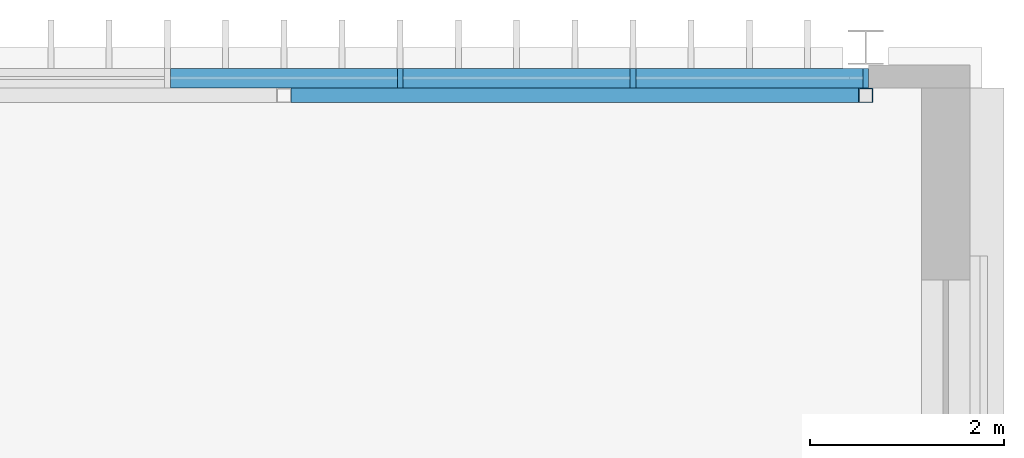
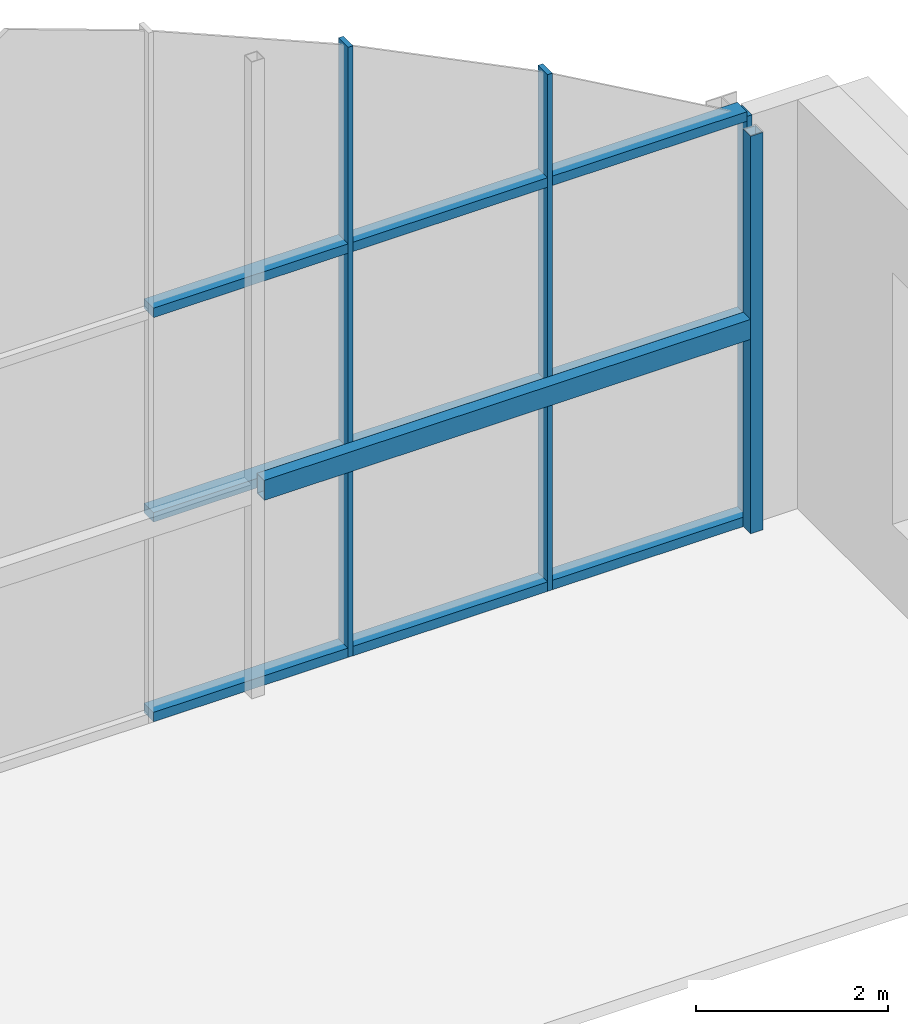
# One storey, part 38 of 93: 13 members, 1 beam, 1 element without a shape of its own.
"""IFC4 building model written with IfcOpenShell, lengths in metres."""

from ifc_helpers import new_model, si_unit, direction, frame, origin, origin_2d, place, context, subcontext, project, spatial, rectangle, hollow_rectangle, extrude, material, layer, layer_set, material_profile, profile_set, type_object, element, aggregate, save


model = new_model("IFC4")

# Units and contexts
model_context = context("Model", 3, precision=1e-05, world=origin(), true_north=direction((0.0, 1.0)))
body_context = subcontext(model_context, "Body", "Model", "MODEL_VIEW")
ifc_project = project(units=[si_unit("LENGTHUNIT", "METRE"), si_unit("AREAUNIT", "SQUARE_METRE"), si_unit("VOLUMEUNIT", "CUBIC_METRE"), si_unit("PLANEANGLEUNIT", "RADIAN"), si_unit("MASSUNIT", "GRAM", prefix="KILO")], contexts=[model_context])

# Site, building, storey
site_placement = place(None, origin())
site = spatial("IfcSite", under=ifc_project, at=site_placement, CompositionType="ELEMENT")
building_placement = place(site_placement, origin())
building = spatial("IfcBuilding", under=site, at=building_placement, Name="Verrick Yard Athletic Hall", CompositionType="ELEMENT")
storey_placement = place(building_placement, frame((0.0, 0.0, 8.800048828125)))
storey = spatial("IfcBuildingStorey", under=building, at=storey_placement, Name="L02", CompositionType="ELEMENT", Elevation=8.800048828125)

# Curtain wall, members
ifc_material_1 = material(Name="Anodised aluminium", Category="aluminium")
ifc_layer = layer(ifc_material_1, 0.199951171875)
ifc_layer_set = layer_set([ifc_layer], Name="Gable glazing")
curtain_wall_type = type_object("IfcCurtainWallType", Name="Gable glazing", PredefinedType="NOTDEFINED", material=ifc_layer_set)
curtain_wall_placement = place(storey_placement, origin())
curtain_wall = element("IfcCurtainWall", 1, at=curtain_wall_placement, inside=storey, type_object=curtain_wall_type, Name="Gable curtain wall AN", PredefinedType="NOTDEFINED")
ifc_material_profile_1 = material_profile(ifc_material_1, rectangle(XDim=0.199951171875, YDim=0.06005859375, at=origin_2d()), Name="CW gable mullion 60x200")
ifc_profile_set_1 = profile_set([ifc_material_profile_1], Name="Anodised aluminium")
member_type_1 = type_object("IfcMemberType", Name="Gable glazing mullion 60x200", PredefinedType="MULLION", material=ifc_profile_set_1)
member_1_placement = place(storey_placement, frame((164.800048828125, 107.681640625, 0.0), z_axis=(0.0, 0.0, 1.0), x_axis=(0.0, 1.0, 0.0)))
member_1 = element("IfcMember", 2, at=member_1_placement, type_object=member_type_1, Name="ENVB-HAN-CW/M18", PredefinedType="MULLION", context=body_context, shape_type="SweptSolid", body=[
    extrude(rectangle(XDim=0.199951171875, YDim=0.06005859375, at=origin_2d()), origin(), (0.0, 0.0, 1.0), 7.758544921875),
])
member_2_placement = place(storey_placement, frame((167.199951171875, 107.681640625, 0.0), z_axis=(0.0, 0.0, 1.0), x_axis=(0.0, 1.0, 0.0)))
member_2 = element("IfcMember", 3, at=member_2_placement, type_object=member_type_1, Name="ENVB-HAN-CW/M19", PredefinedType="MULLION", context=body_context, shape_type="SweptSolid", body=[
    extrude(rectangle(XDim=0.199951171875, YDim=0.06005859375, at=origin_2d()), origin(), (0.0, 0.0, 1.0), 6.5703125),
])
member_3_placement = place(storey_placement, frame((169.60009765625, 107.681640625, 0.0), z_axis=(0.0, 0.0, 1.0), x_axis=(0.0, 1.0, 0.0)))
member_3 = element("IfcMember", 4, at=member_3_placement, type_object=member_type_1, Name="ENVB-HAN-CW/M20", PredefinedType="MULLION", context=body_context, shape_type="SweptSolid", body=[
    extrude(rectangle(XDim=0.199951171875, YDim=0.06005859375, at=origin_2d()), origin(), (0.0, 0.0, 1.0), 5.199951171875),
])
ifc_material_profile_2 = material_profile(ifc_material_1, rectangle(XDim=0.199951171875, YDim=0.1201171875, at=origin_2d()), Name="CW gable transom 200x120")
ifc_profile_set_2 = profile_set([ifc_material_profile_2], Name="Anodised aluminium")
member_type_2 = type_object("IfcMemberType", Name="Gable glazing transom 200x120", PredefinedType="USERDEFINED", material=ifc_profile_set_2)
member_4_placement = place(storey_placement, frame((162.429931640625, 107.681640625, 0.06005859375), z_axis=(1.0, 0.0, 0.0), x_axis=(0.0, 1.0, 0.0)))
member_4 = element("IfcMember", 5, at=member_4_placement, type_object=member_type_2, Name="ENVB-HAN-CW/T17-00", ObjectType="TRANSOM", PredefinedType="USERDEFINED", context=body_context, shape_type="SweptSolid", body=[
    extrude(rectangle(XDim=0.199951171875, YDim=0.1201171875, at=origin_2d()), origin(), (0.0, 0.0, 1.0), 2.340087890625),
])
member_5_placement = place(storey_placement, frame((162.429931640625, 107.681640625, 2.599853515625), z_axis=(1.0, 0.0, 0.0), x_axis=(0.0, 1.0, 0.0)))
member_5 = element("IfcMember", 6, at=member_5_placement, type_object=member_type_2, Name="ENVB-HAN-CW/T17-01", ObjectType="TRANSOM", PredefinedType="USERDEFINED", context=body_context, shape_type="SweptSolid", body=[
    extrude(rectangle(XDim=0.199951171875, YDim=0.1201171875, at=origin_2d()), origin(), (0.0, 0.0, 1.0), 2.340087890625),
])
member_6_placement = place(storey_placement, frame((162.429931640625, 107.681640625, 5.199951171875), z_axis=(1.0, 0.0, 0.0), x_axis=(0.0, 1.0, 0.0)))
member_6 = element("IfcMember", 7, at=member_6_placement, type_object=member_type_2, Name="ENVB-HAN-CW/T17-02", ObjectType="TRANSOM", PredefinedType="USERDEFINED", context=body_context, shape_type="SweptSolid", body=[
    extrude(rectangle(XDim=0.199951171875, YDim=0.1201171875, at=origin_2d()), origin(), (0.0, 0.0, 1.0), 2.340087890625),
])
member_7_placement = place(storey_placement, frame((164.830078125, 107.681640625, 0.06005859375), z_axis=(1.0, 0.0, 0.0), x_axis=(0.0, 1.0, 0.0)))
member_7 = element("IfcMember", 8, at=member_7_placement, type_object=member_type_2, Name="ENVB-HAN-CW/T18-00", ObjectType="TRANSOM", PredefinedType="USERDEFINED", context=body_context, shape_type="SweptSolid", body=[
    extrude(rectangle(XDim=0.199951171875, YDim=0.1201171875, at=origin_2d()), origin(), (0.0, 0.0, 1.0), 2.33984375),
])
member_8_placement = place(storey_placement, frame((164.830078125, 107.681640625, 2.599853515625), z_axis=(1.0, 0.0, 0.0), x_axis=(0.0, 1.0, 0.0)))
member_8 = element("IfcMember", 9, at=member_8_placement, type_object=member_type_2, Name="ENVB-HAN-CW/T18-01", ObjectType="TRANSOM", PredefinedType="USERDEFINED", context=body_context, shape_type="SweptSolid", body=[
    extrude(rectangle(XDim=0.199951171875, YDim=0.1201171875, at=origin_2d()), origin(), (0.0, 0.0, 1.0), 2.33984375),
])
member_9_placement = place(storey_placement, frame((164.830078125, 107.681640625, 5.199951171875), z_axis=(1.0, 0.0, 0.0), x_axis=(0.0, 1.0, 0.0)))
member_9 = element("IfcMember", 10, at=member_9_placement, type_object=member_type_2, Name="ENVB-HAN-CW/T18-02", ObjectType="TRANSOM", PredefinedType="USERDEFINED", context=body_context, shape_type="SweptSolid", body=[
    extrude(rectangle(XDim=0.199951171875, YDim=0.1201171875, at=origin_2d()), origin(), (0.0, 0.0, 1.0), 2.33984375),
])
member_10_placement = place(storey_placement, frame((167.22998046875, 107.681640625, 0.06005859375), z_axis=(1.0, 0.0, 0.0), x_axis=(0.0, 1.0, 0.0)))
member_10 = element("IfcMember", 11, at=member_10_placement, type_object=member_type_2, Name="ENVB-HAN-CW/T19-00", ObjectType="TRANSOM", PredefinedType="USERDEFINED", context=body_context, shape_type="SweptSolid", body=[
    extrude(rectangle(XDim=0.199951171875, YDim=0.1201171875, at=origin_2d()), origin(), (0.0, 0.0, 1.0), 2.340087890625),
])
member_11_placement = place(storey_placement, frame((167.22998046875, 107.681640625, 2.599853515625), z_axis=(1.0, 0.0, 0.0), x_axis=(0.0, 1.0, 0.0)))
member_11 = element("IfcMember", 12, at=member_11_placement, type_object=member_type_2, Name="ENVB-HAN-CW/T19-01", ObjectType="TRANSOM", PredefinedType="USERDEFINED", context=body_context, shape_type="SweptSolid", body=[
    extrude(rectangle(XDim=0.199951171875, YDim=0.1201171875, at=origin_2d()), origin(), (0.0, 0.0, 1.0), 2.340087890625),
])
member_12_placement = place(storey_placement, frame((167.22998046875, 107.681640625, 5.199951171875), z_axis=(1.0, 0.0, 0.0), x_axis=(0.0, 1.0, 0.0)))
member_12 = element("IfcMember", 13, at=member_12_placement, type_object=member_type_2, Name="ENVB-HAN-CW/T19-02", ObjectType="TRANSOM", PredefinedType="USERDEFINED", context=body_context, shape_type="SweptSolid", body=[
    extrude(rectangle(XDim=0.199951171875, YDim=0.1201171875, at=origin_2d()), origin(), (0.0, 0.0, 1.0), 2.340087890625),
])
aggregate(curtain_wall, [member_1, member_2, member_3, member_4, member_5, member_6, member_7, member_8, member_9, member_10, member_11, member_12])

# Member
ifc_material_2 = material(Name="Structural steel HSS Class C 350W (CSA G40.20/G40.21)", Category="steel")
ifc_material_profile_3 = material_profile(ifc_material_2, hollow_rectangle(XDim=0.15234375, YDim=0.15234375, WallThickness=0.009521484375, at=origin_2d()), Name="HSS152x152x9.5")
ifc_profile_set_3 = profile_set([ifc_material_profile_3], Name="Structural steel HSS Class C 350W (CSA G40.20/G40.21)")
member_type_3 = type_object("IfcMemberType", Name="HB gable post HSS152x152x9.5", PredefinedType="POST", material=ifc_profile_set_3)
member_13_placement = place(storey_placement, frame((169.60009765625, 107.50537109375, 0.0), z_axis=(0.0, 0.0, 1.0), x_axis=(1.0, 0.0, 0.0)))
element("IfcMember", 14, at=member_13_placement, inside=storey, type_object=member_type_3, Name="HB-GP-AN-8", PredefinedType="POST", context=body_context, shape_type="SweptSolid", body=[
    extrude(hollow_rectangle(XDim=0.15234375, YDim=0.15234375, WallThickness=0.009521484375, at=origin_2d()), origin(), (0.0, 0.0, 1.0), 5.054443359375),
])

# Beam
ifc_material_profile_4 = material_profile(ifc_material_2, hollow_rectangle(XDim=0.15234375, YDim=0.25390625, WallThickness=0.009521484375, at=origin_2d()), Name="HSS254x152x9.5")
ifc_profile_set_4 = profile_set([ifc_material_profile_4], Name="Structural steel HSS Class C 350W (CSA G40.20/G40.21)")
beam_type = type_object("IfcBeamType", Name="HB wind girder HSS254x152x9.5", PredefinedType="BEAM", material=ifc_profile_set_4)
beam_placement = place(storey_placement, frame((163.67626953125, 107.50537109375, 2.599853515625), z_axis=(1.0, 0.0, 0.0), x_axis=(0.0, 1.0, 0.0)))
element("IfcBeam", 15, at=beam_placement, inside=storey, type_object=beam_type, Name="HB-WG-AN-114-8", PredefinedType="BEAM", context=body_context, shape_type="SweptSolid", body=[
    extrude(hollow_rectangle(XDim=0.15234375, YDim=0.25390625, WallThickness=0.009521484375, at=origin_2d()), origin(), (0.0, 0.0, 1.0), 5.847412109375),
])

save(model, "model.ifc")
